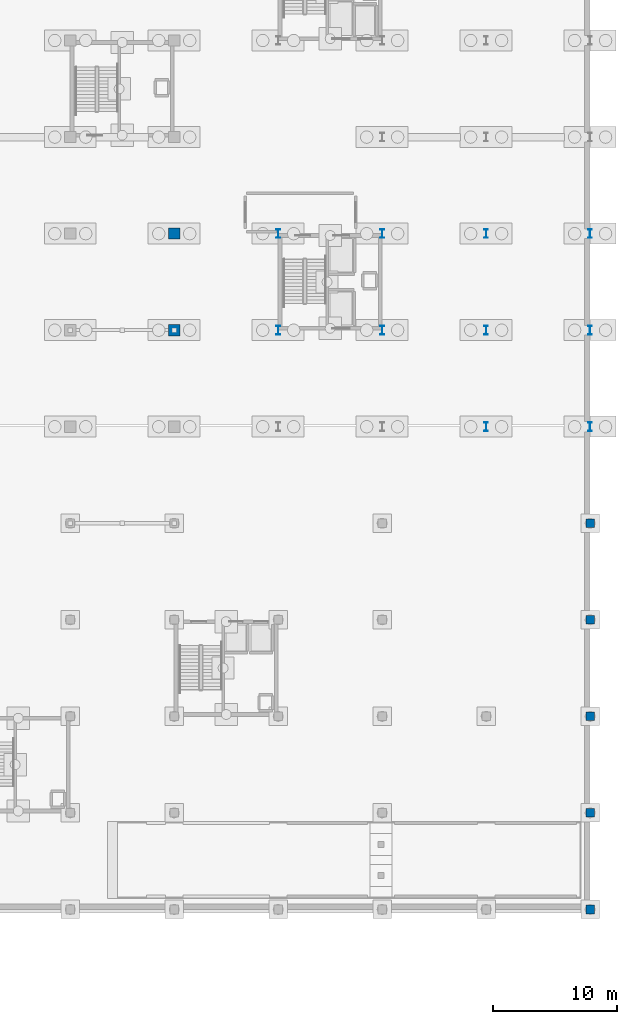
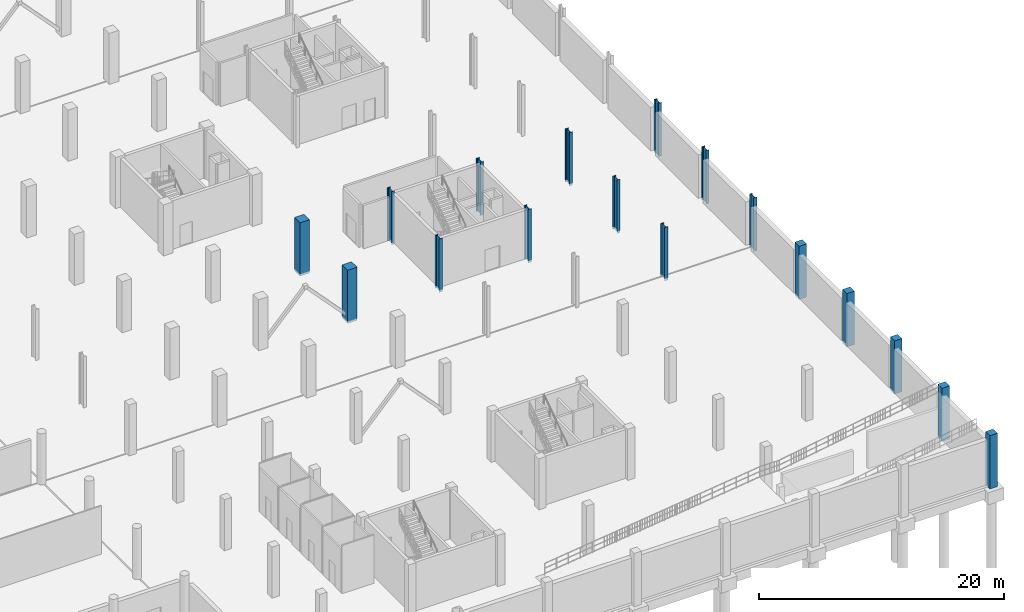
# One storey, part 17 of 48: 17 columns.
"""IFC4 building model written with IfcOpenShell, lengths in metres."""

from ifc_helpers import new_model, si_unit, direction, frame, origin, origin_2d, place, context, subcontext, project, spatial, rectangle, i_section, extrude, material, material_profile, profile_set, type_object, element, save


model = new_model("IFC4")

# Units and contexts
model_context = context("Model", 3, precision=1e-05, world=origin(), true_north=direction((0.0, 1.0)))
body_context = subcontext(model_context, "Body", "Model", "MODEL_VIEW")
ifc_project = project(units=[si_unit("LENGTHUNIT", "METRE"), si_unit("AREAUNIT", "SQUARE_METRE"), si_unit("VOLUMEUNIT", "CUBIC_METRE"), si_unit("PLANEANGLEUNIT", "RADIAN"), si_unit("MASSUNIT", "GRAM", prefix="KILO")], contexts=[model_context])

# Site, building, storey
site_placement = place(None, origin())
site = spatial("IfcSite", under=ifc_project, at=site_placement, CompositionType="ELEMENT")
building_placement = place(site_placement, origin())
building = spatial("IfcBuilding", under=site, at=building_placement, Name="Nabrawat Pavilion Hospital", CompositionType="ELEMENT")
storey_placement = place(building_placement, frame((0.0, 0.0, -5.10009765625)))
storey = spatial("IfcBuildingStorey", under=building, at=storey_placement, Name="B1", CompositionType="ELEMENT", Elevation=-5.10009765625)

# Columns
ifc_material_1 = material(Name="Steel S355", Category="steel")
ifc_material_profile_1 = material_profile(ifc_material_1, i_section(OverallWidth=0.300048828125, OverallDepth=0.699951171875, WebThickness=0.01708984375, FlangeThickness=0.031982421875, FilletRadius=0.027099609375, at=origin_2d()), Name="HEB 700")
ifc_profile_set_1 = profile_set([ifc_material_profile_1], Name="Steel S355")
column_type_1 = type_object("IfcColumnType", Name="Base Transfer Steel Column HEB 700", PredefinedType="COLUMN", material=ifc_profile_set_1)
for number, where, z_axis, x_axis, name in (
    (1, (168.0, 46.800048828125, -0.219970703125), (0.0, 0.0, 1.0), (1.0, 0.0, 0.0), "B1 Structural Column G-21-G"),
    (2, (168.0, 54.60009765625, -0.219970703125), (0.0, 0.0, 1.0), (1.0, 0.0, 0.0), "B1 Structural Column G-21-H"),
    (3, (176.39990234375, 46.800048828125, -0.219970703125), (0.0, 0.0, 1.0), (1.0, 0.0, 0.0), "B1 Structural Column G-22-G"),
    (4, (176.39990234375, 54.60009765625, -0.219970703125), (0.0, 0.0, 1.0), (1.0, 0.0, 0.0), "B1 Structural Column G-22-H"),
    (5, (184.800048828125, 39.0, -0.219970703125), (0.0, 0.0, 1.0), (1.0, 0.0, 0.0), "B1 Structural Column G-23-F1"),
    (6, (184.800048828125, 46.800048828125, -0.219970703125), (0.0, 0.0, 1.0), (1.0, 0.0, 0.0), "B1 Structural Column G-23-G"),
    (7, (184.800048828125, 54.60009765625, -0.219970703125), (0.0, 0.0, 1.0), (1.0, 0.0, 0.0), "B1 Structural Column G-23-H"),
    (8, (193.199951171875, 39.0, -0.219970703125), (0.0, 0.0, 1.0), (1.0, 0.0, 0.0), "B1 Structural Column G-24-F1"),
    (9, (193.199951171875, 46.800048828125, -0.219970703125), (0.0, 0.0, 1.0), (1.0, 0.0, 0.0), "B1 Structural Column G-24-G"),
    (10, (193.199951171875, 54.60009765625, -0.219970703125), (0.0, 0.0, 1.0), (1.0, 0.0, 0.0), "B1 Structural Column G-24-H"),
):
    element("IfcColumn", number, at=place(storey_placement, frame(where, z_axis=z_axis, x_axis=x_axis)), inside=storey, type_object=column_type_1, Name=name, PredefinedType="COLUMN", context=body_context, shape_type="SweptSolid", body=[
        extrude(i_section(OverallWidth=0.300048828125, OverallDepth=0.699951171875, WebThickness=0.01708984375, FlangeThickness=0.031982421875, FilletRadius=0.027099609375, at=origin_2d()), origin(), (0.0, 0.0, 1.0), 5.320068359375),
    ])
ifc_material_2 = material(Name="Concrete C40/50", Category="concrete")
ifc_material_profile_2 = material_profile(ifc_material_2, rectangle(XDim=0.89990234375, YDim=0.89990234375, at=origin_2d()), Name="RC 900x900")
ifc_profile_set_2 = profile_set([ifc_material_profile_2], Name="Concrete C40/50")
column_type_2 = type_object("IfcColumnType", Name="Lower Ward RC Column 900x900", PredefinedType="COLUMN", material=ifc_profile_set_2)
for number, where, z_axis, x_axis, name in (
    (11, (159.60009765625, 46.800048828125, -0.219970703125), (0.0, 0.0, 1.0), (1.0, 0.0, 0.0), "B1 Structural Column G-20-G"),
    (12, (159.60009765625, 54.60009765625, -0.219970703125), (0.0, 0.0, 1.0), (1.0, 0.0, 0.0), "B1 Structural Column G-20-H"),
):
    element("IfcColumn", number, at=place(storey_placement, frame(where, z_axis=z_axis, x_axis=x_axis)), inside=storey, type_object=column_type_2, Name=name, PredefinedType="COLUMN", context=body_context, shape_type="SweptSolid", body=[
        extrude(rectangle(XDim=0.89990234375, YDim=0.89990234375, at=origin_2d()), origin(), (0.0, 0.0, 1.0), 5.320068359375),
    ])
ifc_material_profile_3 = material_profile(ifc_material_2, rectangle(XDim=0.699951171875, YDim=0.699951171875, at=origin_2d()), Name="RC 700x700")
ifc_profile_set_3 = profile_set([ifc_material_profile_3], Name="Concrete C40/50")
column_type_3 = type_object("IfcColumnType", Name="Mid-Tier Ward RC Column 700x700", PredefinedType="COLUMN", material=ifc_profile_set_3)
for number, where, z_axis, x_axis, name in (
    (13, (193.199951171875, 0.0, -0.219970703125), (0.0, 0.0, 1.0), (1.0, 0.0, 0.0), "B1 Structural Column G-24-A"),
    (14, (193.199951171875, 7.800048828125, -0.219970703125), (0.0, 0.0, 1.0), (1.0, 0.0, 0.0), "B1 Structural Column G-24-B"),
    (15, (193.199951171875, 15.60009765625, -0.219970703125), (0.0, 0.0, 1.0), (1.0, 0.0, 0.0), "B1 Structural Column G-24-C"),
    (16, (193.199951171875, 23.39990234375, -0.219970703125), (0.0, 0.0, 1.0), (1.0, 0.0, 0.0), "B1 Structural Column G-24-D"),
    (17, (193.199951171875, 31.199951171875, -0.219970703125), (0.0, 0.0, 1.0), (1.0, 0.0, 0.0), "B1 Structural Column G-24-E"),
):
    element("IfcColumn", number, at=place(storey_placement, frame(where, z_axis=z_axis, x_axis=x_axis)), inside=storey, type_object=column_type_3, Name=name, PredefinedType="COLUMN", context=body_context, shape_type="SweptSolid", body=[
        extrude(rectangle(XDim=0.699951171875, YDim=0.699951171875, at=origin_2d()), origin(), (0.0, 0.0, 1.0), 5.320068359375),
    ])

save(model, "model.ifc")
